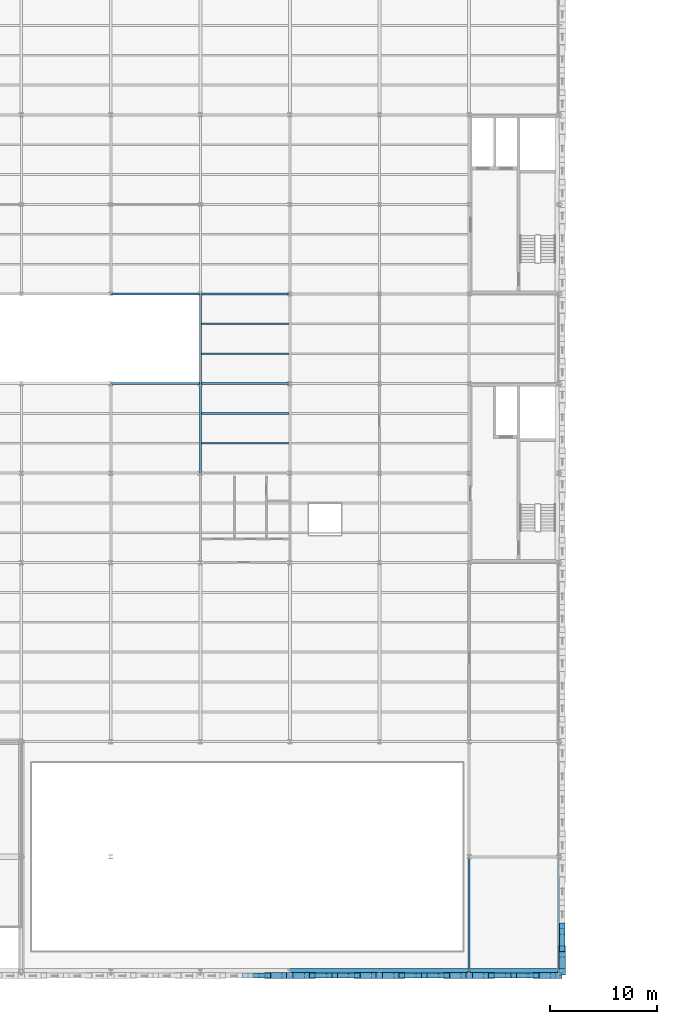
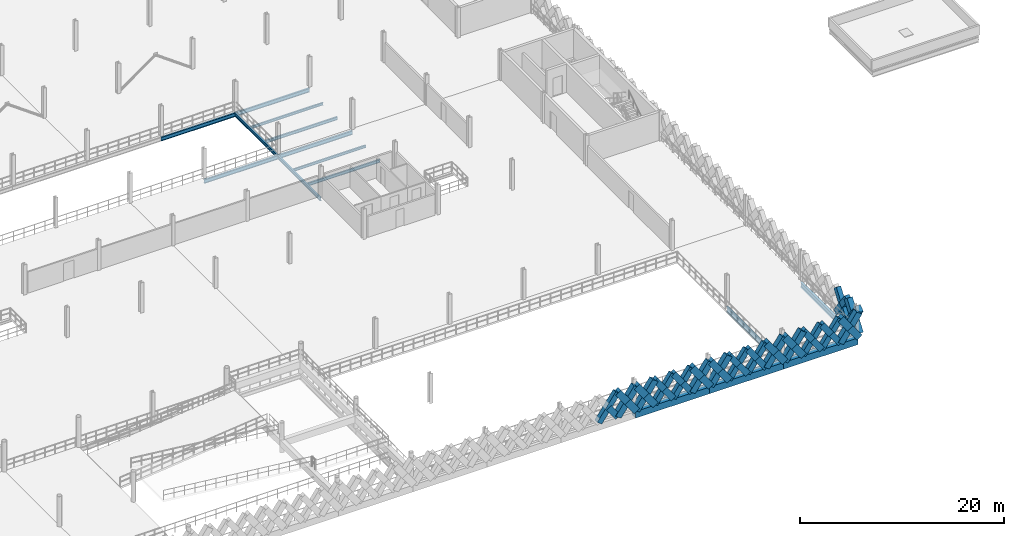
# One storey, part 19 of 62: 47 members, 15 beams.
"""IFC4 building model written with IfcOpenShell, lengths in metres."""

from ifc_helpers import new_model, si_unit, direction, frame, origin, origin_2d, place, context, subcontext, project, spatial, rectangle, i_section, extrude, material, material_profile, profile_set, type_object, element, save


model = new_model("IFC4")

# Units and contexts
model_context = context("Model", 3, precision=1e-05, world=origin(), true_north=direction((0.0, 1.0)))
body_context = subcontext(model_context, "Body", "Model", "MODEL_VIEW")
ifc_project = project(units=[si_unit("LENGTHUNIT", "METRE"), si_unit("AREAUNIT", "SQUARE_METRE"), si_unit("VOLUMEUNIT", "CUBIC_METRE"), si_unit("PLANEANGLEUNIT", "RADIAN"), si_unit("MASSUNIT", "GRAM", prefix="KILO"), si_unit("THERMODYNAMICTEMPERATUREUNIT", "KELVIN"), si_unit("POWERUNIT", "WATT")], contexts=[model_context])

# Site, building, storey
site_placement = place(None, origin())
site = spatial("IfcSite", under=ifc_project, at=site_placement, CompositionType="ELEMENT")
building_placement = place(site_placement, origin())
building = spatial("IfcBuilding", under=site, at=building_placement, Name="Tembeka Court Mobility Hub", CompositionType="ELEMENT")
storey_placement = place(building_placement, frame((0.0, 0.0, 16.199951171875)))
storey = spatial("IfcBuildingStorey", under=building, at=storey_placement, Name="L04", CompositionType="ELEMENT", Elevation=16.199951171875)

# Beams
ifc_material_1 = material(Name="Steel S355", Category="steel")
ifc_material_profile_1 = material_profile(ifc_material_1, i_section(OverallWidth=0.18994140625, OverallDepth=0.45703125, WebThickness=0.009033203125, FlangeThickness=0.014404296875, FilletRadius=0.01025390625, at=origin_2d()), Name="UKB 457x191x74")
ifc_profile_set_1 = profile_set([ifc_material_profile_1], Name="Steel S355")
beam_type_1 = type_object("IfcBeamType", Name="BM-B01", PredefinedType="BEAM", material=ifc_profile_set_1)
beam_1_placement = place(storey_placement, frame((50.39990234375, 55.199951171875, -0.448486328125), z_axis=(1.0, 0.0, 0.0), x_axis=(0.0, 1.0, 0.0)))
element("IfcBeam", 1, at=beam_1_placement, inside=storey, type_object=beam_type_1, Name="Beam B01 (BM-L04-X2251)", PredefinedType="BEAM", context=body_context, shape_type="SweptSolid", body=[
    extrude(i_section(OverallWidth=0.18994140625, OverallDepth=0.45703125, WebThickness=0.009033203125, FlangeThickness=0.014404296875, FilletRadius=0.01025390625, at=origin_2d()), origin(), (0.0, 0.0, 1.0), 8.400146484375),
])
beam_2_placement = place(storey_placement, frame((58.800048828125, 55.199951171875, -0.448486328125), z_axis=(1.0, 0.0, 0.0), x_axis=(0.0, 1.0, 0.0)))
element("IfcBeam", 2, at=beam_2_placement, inside=storey, type_object=beam_type_1, Name="Beam B01 (BM-L04-X2252)", PredefinedType="BEAM", context=body_context, shape_type="SweptSolid", body=[
    extrude(i_section(OverallWidth=0.18994140625, OverallDepth=0.45703125, WebThickness=0.009033203125, FlangeThickness=0.014404296875, FilletRadius=0.01025390625, at=origin_2d()), origin(), (0.0, 0.0, 1.0), 8.39990234375),
])
beam_3_placement = place(storey_placement, frame((50.39990234375, 63.60009765625, -0.448486328125), z_axis=(1.0, 0.0, 0.0), x_axis=(0.0, 1.0, 0.0)))
element("IfcBeam", 3, at=beam_3_placement, inside=storey, type_object=beam_type_1, Name="Beam B01 (BM-L04-X2263)", PredefinedType="BEAM", context=body_context, shape_type="SweptSolid", body=[
    extrude(i_section(OverallWidth=0.18994140625, OverallDepth=0.45703125, WebThickness=0.009033203125, FlangeThickness=0.014404296875, FilletRadius=0.01025390625, at=origin_2d()), origin(), (0.0, 0.0, 1.0), 8.400146484375),
])
beam_4_placement = place(storey_placement, frame((58.800048828125, 63.60009765625, -0.448486328125), z_axis=(1.0, 0.0, 0.0), x_axis=(0.0, 1.0, 0.0)))
element("IfcBeam", 4, at=beam_4_placement, inside=storey, type_object=beam_type_1, Name="Beam B01 (BM-L04-X2264)", PredefinedType="BEAM", context=body_context, shape_type="SweptSolid", body=[
    extrude(i_section(OverallWidth=0.18994140625, OverallDepth=0.45703125, WebThickness=0.009033203125, FlangeThickness=0.014404296875, FilletRadius=0.01025390625, at=origin_2d()), origin(), (0.0, 0.0, 1.0), 8.39990234375),
])
ifc_material_profile_2 = material_profile(ifc_material_1, i_section(OverallWidth=0.177978515625, OverallDepth=0.406005859375, WebThickness=0.0078125, FlangeThickness=0.0126953125, FilletRadius=0.01025390625, at=origin_2d()), Name="UKB 406x178x60")
ifc_profile_set_2 = profile_set([ifc_material_profile_2], Name="Steel S355")
beam_type_2 = type_object("IfcBeamType", Name="BM-B02", PredefinedType="BEAM", material=ifc_profile_set_2)
beam_5_placement = place(storey_placement, frame((58.800048828125, 46.800048828125, -0.4228515625), z_axis=(0.0, 1.0, 0.0), x_axis=(-1.0, 0.0, 0.0)))
element("IfcBeam", 5, at=beam_5_placement, inside=storey, type_object=beam_type_2, Name="Beam B02 (BM-L04-Y2377)", PredefinedType="BEAM", context=body_context, shape_type="SweptSolid", body=[
    extrude(i_section(OverallWidth=0.177978515625, OverallDepth=0.406005859375, WebThickness=0.0078125, FlangeThickness=0.0126953125, FilletRadius=0.01025390625, at=origin_2d()), origin(), (0.0, 0.0, 1.0), 8.39990234375),
])
beam_6_placement = place(storey_placement, frame((58.800048828125, 55.199951171875, -0.4228515625), z_axis=(0.0, 1.0, 0.0), x_axis=(-1.0, 0.0, 0.0)))
element("IfcBeam", 6, at=beam_6_placement, inside=storey, type_object=beam_type_2, Name="Beam B02 (BM-L04-Y2378)", PredefinedType="BEAM", context=body_context, shape_type="SweptSolid", body=[
    extrude(i_section(OverallWidth=0.177978515625, OverallDepth=0.406005859375, WebThickness=0.0078125, FlangeThickness=0.0126953125, FilletRadius=0.01025390625, at=origin_2d()), origin(), (0.0, 0.0, 1.0), 8.400146484375),
])
ifc_material_profile_3 = material_profile(ifc_material_1, i_section(OverallWidth=0.22900390625, OverallDepth=0.612060546875, WebThickness=0.011962890625, FlangeThickness=0.01953125, FilletRadius=0.0126953125, at=origin_2d()), Name="UKB 610x229x125")
ifc_profile_set_3 = profile_set([ifc_material_profile_3], Name="Steel S355")
beam_type_3 = type_object("IfcBeamType", Name="BM-G02", PredefinedType="USERDEFINED", material=ifc_profile_set_3)
for number, where, z_axis, x_axis, name in (
    (7, (84.0, 0.0, -0.52587890625), (0.0, 1.0, 0.0), (-1.0, 0.0, 0.0), "Beam G02 (BM-L04-Y2396)"),
    (8, (92.39990234375, 0.0, -0.52587890625), (0.0, 1.0, 0.0), (-1.0, 0.0, 0.0), "Beam G02 (BM-L04-Y2407)"),
):
    element("IfcBeam", number, at=place(storey_placement, frame(where, z_axis=z_axis, x_axis=x_axis)), inside=storey, type_object=beam_type_3, Name=name, ObjectType="GIRDER", PredefinedType="USERDEFINED", context=body_context, shape_type="SweptSolid", body=[
        extrude(i_section(OverallWidth=0.22900390625, OverallDepth=0.612060546875, WebThickness=0.011962890625, FlangeThickness=0.01953125, FilletRadius=0.0126953125, at=origin_2d()), origin(), (0.0, 0.0, 1.0), 10.800048828125),
    ])
ifc_material_profile_4 = material_profile(ifc_material_1, i_section(OverallWidth=0.1650390625, OverallDepth=0.303955078125, WebThickness=0.006103515625, FlangeThickness=0.01025390625, FilletRadius=0.0087890625, at=origin_2d()), Name="UKB 305x165x40")
ifc_profile_set_4 = profile_set([ifc_material_profile_4], Name="Steel S355")
beam_type_4 = type_object("IfcBeamType", Name="BM-J02", PredefinedType="JOIST", material=ifc_profile_set_4)
for number, where, z_axis, x_axis, name in (
    (9, (58.884033203125, 52.39990234375, -0.3720703125), (1.0, 0.0, 0.0), (0.0, 1.0, 0.0), "Beam J02 (JST-L04-2570)"),
    (10, (58.884033203125, 60.800048828125, -0.3720703125), (1.0, 0.0, 0.0), (0.0, 1.0, 0.0), "Beam J02 (JST-L04-2572)"),
):
    element("IfcBeam", number, at=place(storey_placement, frame(where, z_axis=z_axis, x_axis=x_axis)), inside=storey, type_object=beam_type_4, Name=name, PredefinedType="JOIST", context=body_context, shape_type="SweptSolid", body=[
        extrude(i_section(OverallWidth=0.1650390625, OverallDepth=0.303955078125, WebThickness=0.006103515625, FlangeThickness=0.01025390625, FilletRadius=0.0087890625, at=origin_2d()), origin(), (0.0, 0.0, 1.0), 8.23193359375),
    ])
ifc_material_profile_5 = material_profile(ifc_material_1, i_section(OverallWidth=0.169921875, OverallDepth=0.360107421875, WebThickness=0.008056640625, FlangeThickness=0.0126953125, FilletRadius=0.01806640625, at=origin_2d()), Name="IPE 360")
ifc_profile_set_5 = profile_set([ifc_material_profile_5], Name="Steel S355")
beam_type_5 = type_object("IfcBeamType", Name="BM-J03", PredefinedType="JOIST", material=ifc_profile_set_5)
for number, where, z_axis, x_axis, name in (
    (11, (58.884033203125, 49.60009765625, -0.39990234375), (1.0, 0.0, 0.0), (0.0, 1.0, 0.0), "Beam J03 (JST-L04-2569)"),
    (12, (58.884033203125, 58.0, -0.39990234375), (1.0, 0.0, 0.0), (0.0, 1.0, 0.0), "Beam J03 (JST-L04-2571)"),
):
    element("IfcBeam", number, at=place(storey_placement, frame(where, z_axis=z_axis, x_axis=x_axis)), inside=storey, type_object=beam_type_5, Name=name, PredefinedType="JOIST", context=body_context, shape_type="SweptSolid", body=[
        extrude(i_section(OverallWidth=0.169921875, OverallDepth=0.360107421875, WebThickness=0.008056640625, FlangeThickness=0.0126953125, FilletRadius=0.01806640625, at=origin_2d()), origin(), (0.0, 0.0, 1.0), 8.23193359375),
    ])
ifc_material_2 = material(Name="Precast concrete C45/55", Category="concrete")
ifc_material_profile_6 = material_profile(ifc_material_2, rectangle(XDim=0.64990234375, YDim=0.800048828125, at=origin_2d()), Name="PC-SP 650x800")
ifc_profile_set_6 = profile_set([ifc_material_profile_6], Name="Precast concrete C45/55")
beam_type_6 = type_object("IfcBeamType", Name="BM-SP01", PredefinedType="SPANDREL", material=ifc_profile_set_6)
beam_7_placement = place(storey_placement, frame((67.199951171875, 0.0, -0.619873046875), z_axis=(1.0, 0.0, 0.0), x_axis=(0.0, 1.0, 0.0)))
element("IfcBeam", 13, at=beam_7_placement, inside=storey, type_object=beam_type_6, Name="Beam SP01 (BM-L04-X2192)", PredefinedType="SPANDREL", context=body_context, shape_type="SweptSolid", body=[
    extrude(rectangle(XDim=0.64990234375, YDim=0.800048828125, at=origin_2d()), origin(), (0.0, 0.0, 1.0), 8.400146484375),
])
for number, where, z_axis, x_axis, name in (
    (14, (75.60009765625, 0.0, -0.619873046875), (1.0, 0.0, 0.0), (0.0, 1.0, 0.0), "Beam SP01 (BM-L04-X2193)"),
    (15, (84.0, 0.0, -0.619873046875), (1.0, 0.0, 0.0), (0.0, 1.0, 0.0), "Beam SP01 (BM-L04-X2194)"),
):
    element("IfcBeam", number, at=place(storey_placement, frame(where, z_axis=z_axis, x_axis=x_axis)), inside=storey, type_object=beam_type_6, Name=name, PredefinedType="SPANDREL", context=body_context, shape_type="SweptSolid", body=[
        extrude(rectangle(XDim=0.64990234375, YDim=0.800048828125, at=origin_2d()), origin(), (0.0, 0.0, 1.0), 8.39990234375),
    ])

# Members
ifc_material_profile_7 = material_profile(ifc_material_2, rectangle(XDim=0.5, YDim=0.64990234375, at=origin_2d()), Name="PC-DIAG 500x650")
ifc_profile_set_7 = profile_set([ifc_material_profile_7], Name="Precast concrete C45/55")
member_type_1 = type_object("IfcMemberType", Name="MEM-DL01", PredefinedType="BRACE", material=ifc_profile_set_7)
member_1_placement = place(storey_placement, frame((63.0, -0.340087890625, 0.02001953125), z_axis=(0.582576362011, 0.0, 0.812775973086), x_axis=(0.0, 1.0, 0.0)))
element("IfcMember", 16, at=member_1_placement, inside=storey, type_object=member_type_1, Name="Precast diamond lattice continuous strand DL01 (L04-619A)", PredefinedType="BRACE", context=body_context, shape_type="SweptSolid", body=[
    extrude(rectangle(XDim=0.5, YDim=0.64990234375, at=origin_2d()), origin(), (0.0, 0.0, 1.0), 3.604736328125),
])
member_2_placement = place(storey_placement, frame((65.10009765625, -0.340087890625, 0.02001953125), z_axis=(-0.582544294934, 0.0, 0.812798956963), x_axis=(0.0, -1.0, 0.0)))
element("IfcMember", 17, at=member_2_placement, inside=storey, type_object=member_type_1, Name="Precast diamond lattice split lower strand DL01 (L04-619B1)", PredefinedType="BRACE", context=body_context, shape_type="SweptSolid", body=[
    extrude(rectangle(XDim=0.5, YDim=0.64990234375, at=origin_2d()), origin(), (0.0, 0.0, 1.0), 1.802490234375),
])
member_3_placement = place(storey_placement, frame((69.300048828125, -0.340087890625, 0.02001953125), z_axis=(0.58253161945, 0.0, 0.812808041509), x_axis=(0.0, 1.0, 0.0)))
element("IfcMember", 18, at=member_3_placement, inside=storey, type_object=member_type_1, Name="Precast diamond lattice continuous strand DL01 (L04-622A)", PredefinedType="BRACE", context=body_context, shape_type="SweptSolid", body=[
    extrude(rectangle(XDim=0.5, YDim=0.64990234375, at=origin_2d()), origin(), (0.0, 0.0, 1.0), 3.604736328125),
])
member_4_placement = place(storey_placement, frame((71.39990234375, -0.340087890625, 0.02001953125), z_axis=(-0.582454804382, 0.0, 0.812863088627), x_axis=(0.0, -1.0, 0.0)))
element("IfcMember", 19, at=member_4_placement, inside=storey, type_object=member_type_1, Name="Precast diamond lattice split lower strand DL01 (L04-622B1)", PredefinedType="BRACE", context=body_context, shape_type="SweptSolid", body=[
    extrude(rectangle(XDim=0.5, YDim=0.64990234375, at=origin_2d()), origin(), (0.0, 0.0, 1.0), 1.802490234375),
])
member_5_placement = place(storey_placement, frame((70.35009765625, -0.340087890625, 1.485107421875), z_axis=(-0.582608431711, 0.0, 0.812752985414), x_axis=(0.0, -1.0, 0.0)))
element("IfcMember", 20, at=member_5_placement, inside=storey, type_object=member_type_1, Name="Precast diamond lattice split upper strand DL01 (L04-622B2)", PredefinedType="BRACE", context=body_context, shape_type="SweptSolid", body=[
    extrude(rectangle(XDim=0.5, YDim=0.64990234375, at=origin_2d()), origin(), (0.0, 0.0, 1.0), 1.80224609375),
])
member_6_placement = place(storey_placement, frame((71.39990234375, -0.340087890625, 0.02001953125), z_axis=(0.582576362011, 0.0, 0.812775973086), x_axis=(0.0, 1.0, 0.0)))
element("IfcMember", 21, at=member_6_placement, inside=storey, type_object=member_type_1, Name="Precast diamond lattice continuous strand DL01 (L04-623A)", PredefinedType="BRACE", context=body_context, shape_type="SweptSolid", body=[
    extrude(rectangle(XDim=0.5, YDim=0.64990234375, at=origin_2d()), origin(), (0.0, 0.0, 1.0), 3.604736328125),
])
member_7_placement = place(storey_placement, frame((73.5, -0.340087890625, 0.02001953125), z_axis=(-0.582544294934, 0.0, 0.812798956963), x_axis=(0.0, -1.0, 0.0)))
element("IfcMember", 22, at=member_7_placement, inside=storey, type_object=member_type_1, Name="Precast diamond lattice split lower strand DL01 (L04-623B1)", PredefinedType="BRACE", context=body_context, shape_type="SweptSolid", body=[
    extrude(rectangle(XDim=0.5, YDim=0.64990234375, at=origin_2d()), origin(), (0.0, 0.0, 1.0), 1.802490234375),
])
member_8_placement = place(storey_placement, frame((72.449951171875, -0.340087890625, 1.485107421875), z_axis=(-0.582608431711, 0.0, 0.812752985414), x_axis=(0.0, -1.0, 0.0)))
element("IfcMember", 23, at=member_8_placement, inside=storey, type_object=member_type_1, Name="Precast diamond lattice split upper strand DL01 (L04-623B2)", PredefinedType="BRACE", context=body_context, shape_type="SweptSolid", body=[
    extrude(rectangle(XDim=0.5, YDim=0.64990234375, at=origin_2d()), origin(), (0.0, 0.0, 1.0), 1.80224609375),
])
member_9_placement = place(storey_placement, frame((77.699951171875, -0.340087890625, 0.02001953125), z_axis=(0.582576362011, 0.0, 0.812775973086), x_axis=(0.0, 1.0, 0.0)))
element("IfcMember", 24, at=member_9_placement, inside=storey, type_object=member_type_1, Name="Precast diamond lattice continuous strand DL01 (L04-626A)", PredefinedType="BRACE", context=body_context, shape_type="SweptSolid", body=[
    extrude(rectangle(XDim=0.5, YDim=0.64990234375, at=origin_2d()), origin(), (0.0, 0.0, 1.0), 3.604736328125),
])
member_10_placement = place(storey_placement, frame((79.800048828125, -0.340087890625, 0.02001953125), z_axis=(-0.582544294934, 0.0, 0.812798956963), x_axis=(0.0, -1.0, 0.0)))
element("IfcMember", 25, at=member_10_placement, inside=storey, type_object=member_type_1, Name="Precast diamond lattice split lower strand DL01 (L04-626B1)", PredefinedType="BRACE", context=body_context, shape_type="SweptSolid", body=[
    extrude(rectangle(XDim=0.5, YDim=0.64990234375, at=origin_2d()), origin(), (0.0, 0.0, 1.0), 1.802490234375),
])
member_11_placement = place(storey_placement, frame((78.75, -0.340087890625, 1.485107421875), z_axis=(-0.582608431711, 0.0, 0.812752985414), x_axis=(0.0, -1.0, 0.0)))
element("IfcMember", 26, at=member_11_placement, inside=storey, type_object=member_type_1, Name="Precast diamond lattice split upper strand DL01 (L04-626B2)", PredefinedType="BRACE", context=body_context, shape_type="SweptSolid", body=[
    extrude(rectangle(XDim=0.5, YDim=0.64990234375, at=origin_2d()), origin(), (0.0, 0.0, 1.0), 1.80224609375),
])
member_12_placement = place(storey_placement, frame((79.800048828125, -0.340087890625, 0.02001953125), z_axis=(0.58253161945, 0.0, 0.812808041509), x_axis=(0.0, 1.0, 0.0)))
element("IfcMember", 27, at=member_12_placement, inside=storey, type_object=member_type_1, Name="Precast diamond lattice continuous strand DL01 (L04-627A)", PredefinedType="BRACE", context=body_context, shape_type="SweptSolid", body=[
    extrude(rectangle(XDim=0.5, YDim=0.64990234375, at=origin_2d()), origin(), (0.0, 0.0, 1.0), 3.604736328125),
])
member_13_placement = place(storey_placement, frame((81.89990234375, -0.340087890625, 0.02001953125), z_axis=(-0.582454804382, 0.0, 0.812863088627), x_axis=(0.0, -1.0, 0.0)))
element("IfcMember", 28, at=member_13_placement, inside=storey, type_object=member_type_1, Name="Precast diamond lattice split lower strand DL01 (L04-627B1)", PredefinedType="BRACE", context=body_context, shape_type="SweptSolid", body=[
    extrude(rectangle(XDim=0.5, YDim=0.64990234375, at=origin_2d()), origin(), (0.0, 0.0, 1.0), 1.802490234375),
])
member_14_placement = place(storey_placement, frame((80.85009765625, -0.340087890625, 1.485107421875), z_axis=(-0.582608431711, 0.0, 0.812752985414), x_axis=(0.0, -1.0, 0.0)))
element("IfcMember", 29, at=member_14_placement, inside=storey, type_object=member_type_1, Name="Precast diamond lattice split upper strand DL01 (L04-627B2)", PredefinedType="BRACE", context=body_context, shape_type="SweptSolid", body=[
    extrude(rectangle(XDim=0.5, YDim=0.64990234375, at=origin_2d()), origin(), (0.0, 0.0, 1.0), 1.80224609375),
])
member_15_placement = place(storey_placement, frame((86.10009765625, -0.340087890625, 0.02001953125), z_axis=(0.58253161945, 0.0, 0.812808041509), x_axis=(0.0, 1.0, 0.0)))
element("IfcMember", 30, at=member_15_placement, inside=storey, type_object=member_type_1, Name="Precast diamond lattice continuous strand DL01 (L04-630A)", PredefinedType="BRACE", context=body_context, shape_type="SweptSolid", body=[
    extrude(rectangle(XDim=0.5, YDim=0.64990234375, at=origin_2d()), origin(), (0.0, 0.0, 1.0), 3.604736328125),
])
member_16_placement = place(storey_placement, frame((88.199951171875, -0.340087890625, 0.02001953125), z_axis=(-0.582544294934, 0.0, 0.812798956963), x_axis=(0.0, -1.0, 0.0)))
element("IfcMember", 31, at=member_16_placement, inside=storey, type_object=member_type_1, Name="Precast diamond lattice split lower strand DL01 (L04-630B1)", PredefinedType="BRACE", context=body_context, shape_type="SweptSolid", body=[
    extrude(rectangle(XDim=0.5, YDim=0.64990234375, at=origin_2d()), origin(), (0.0, 0.0, 1.0), 1.802490234375),
])
member_17_placement = place(storey_placement, frame((87.14990234375, -0.340087890625, 1.485107421875), z_axis=(-0.582518941428, 0.0, 0.812817127574), x_axis=(0.0, -1.0, 0.0)))
element("IfcMember", 32, at=member_17_placement, inside=storey, type_object=member_type_1, Name="Precast diamond lattice split upper strand DL01 (L04-630B2)", PredefinedType="BRACE", context=body_context, shape_type="SweptSolid", body=[
    extrude(rectangle(XDim=0.5, YDim=0.64990234375, at=origin_2d()), origin(), (0.0, 0.0, 1.0), 1.80224609375),
])
member_18_placement = place(storey_placement, frame((88.199951171875, -0.340087890625, 0.02001953125), z_axis=(0.582576362011, 0.0, 0.812775973086), x_axis=(0.0, 1.0, 0.0)))
element("IfcMember", 33, at=member_18_placement, inside=storey, type_object=member_type_1, Name="Precast diamond lattice continuous strand DL01 (L04-631A)", PredefinedType="BRACE", context=body_context, shape_type="SweptSolid", body=[
    extrude(rectangle(XDim=0.5, YDim=0.64990234375, at=origin_2d()), origin(), (0.0, 0.0, 1.0), 3.604736328125),
])
member_19_placement = place(storey_placement, frame((90.300048828125, -0.340087890625, 0.02001953125), z_axis=(-0.582544294934, 0.0, 0.812798956963), x_axis=(0.0, -1.0, 0.0)))
element("IfcMember", 34, at=member_19_placement, inside=storey, type_object=member_type_1, Name="Precast diamond lattice split lower strand DL01 (L04-631B1)", PredefinedType="BRACE", context=body_context, shape_type="SweptSolid", body=[
    extrude(rectangle(XDim=0.5, YDim=0.64990234375, at=origin_2d()), origin(), (0.0, 0.0, 1.0), 1.802490234375),
])
member_20_placement = place(storey_placement, frame((89.25, -0.340087890625, 1.485107421875), z_axis=(-0.582608431711, 0.0, 0.812752985414), x_axis=(0.0, -1.0, 0.0)))
element("IfcMember", 35, at=member_20_placement, inside=storey, type_object=member_type_1, Name="Precast diamond lattice split upper strand DL01 (L04-631B2)", PredefinedType="BRACE", context=body_context, shape_type="SweptSolid", body=[
    extrude(rectangle(XDim=0.5, YDim=0.64990234375, at=origin_2d()), origin(), (0.0, 0.0, 1.0), 1.80224609375),
])
member_21_placement = place(storey_placement, frame((92.739990234375, 2.159912109375, 0.02001953125), z_axis=(0.0, 0.593423219328, 0.804890602978), x_axis=(-1.0, 0.0, 0.0)))
element("IfcMember", 36, at=member_21_placement, inside=storey, type_object=member_type_1, Name="Precast diamond lattice continuous strand DL01 (L04-734C)", PredefinedType="BRACE", context=body_context, shape_type="SweptSolid", body=[
    extrude(rectangle(XDim=0.5, YDim=0.64990234375, at=origin_2d()), origin(), (0.0, 0.0, 1.0), 3.64013671875),
])
for number, where, z_axis, x_axis, name in (
    (37, (92.739990234375, 4.320068359375, 0.02001953125), (0.0, -0.593391185876, 0.804914219358), (1.0, 0.0, 0.0), "Precast diamond lattice split lower strand DL01 (L04-734D1)"),
    (38, (92.739990234375, 3.239990234375, 1.485107421875), (0.0, -0.593455255298, 0.804866982773), (1.0, 0.0, 0.0), "Precast diamond lattice split upper strand DL01 (L04-734D2)"),
):
    element("IfcMember", number, at=place(storey_placement, frame(where, z_axis=z_axis, x_axis=x_axis)), inside=storey, type_object=member_type_1, Name=name, PredefinedType="BRACE", context=body_context, shape_type="SweptSolid", body=[
        extrude(rectangle(XDim=0.5, YDim=0.64990234375, at=origin_2d()), origin(), (0.0, 0.0, 1.0), 1.820068359375),
    ])
ifc_material_profile_8 = material_profile(ifc_material_2, rectangle(XDim=0.60009765625, YDim=0.75, at=origin_2d()), Name="PC-DIAG 600x750")
ifc_profile_set_8 = profile_set([ifc_material_profile_8], Name="Precast concrete C45/55")
member_type_2 = type_object("IfcMemberType", Name="MEM-DL02", PredefinedType="BRACE", material=ifc_profile_set_8)
member_22_placement = place(storey_placement, frame((65.10009765625, -0.340087890625, 0.02001953125), z_axis=(0.58253161945, 0.0, 0.812808041509), x_axis=(0.0, 1.0, 0.0)))
element("IfcMember", 39, at=member_22_placement, inside=storey, type_object=member_type_2, Name="Precast diamond lattice continuous strand DL02 (L04-620A)", PredefinedType="BRACE", context=body_context, shape_type="SweptSolid", body=[
    extrude(rectangle(XDim=0.60009765625, YDim=0.75, at=origin_2d()), origin(), (0.0, 0.0, 1.0), 3.604736328125),
])
member_23_placement = place(storey_placement, frame((67.199951171875, -0.340087890625, 0.02001953125), z_axis=(-0.582544294934, 0.0, 0.812798956963), x_axis=(0.0, -1.0, 0.0)))
element("IfcMember", 40, at=member_23_placement, inside=storey, type_object=member_type_2, Name="Precast diamond lattice split lower strand DL02 (L04-620B1)", PredefinedType="BRACE", context=body_context, shape_type="SweptSolid", body=[
    extrude(rectangle(XDim=0.60009765625, YDim=0.75, at=origin_2d()), origin(), (0.0, 0.0, 1.0), 1.802490234375),
])
member_24_placement = place(storey_placement, frame((66.14990234375, -0.340087890625, 1.485107421875), z_axis=(-0.582518941428, 0.0, 0.812817127574), x_axis=(0.0, -1.0, 0.0)))
element("IfcMember", 41, at=member_24_placement, inside=storey, type_object=member_type_2, Name="Precast diamond lattice split upper strand DL02 (L04-620B2)", PredefinedType="BRACE", context=body_context, shape_type="SweptSolid", body=[
    extrude(rectangle(XDim=0.60009765625, YDim=0.75, at=origin_2d()), origin(), (0.0, 0.0, 1.0), 1.80224609375),
])
member_25_placement = place(storey_placement, frame((67.199951171875, -0.340087890625, 0.02001953125), z_axis=(0.582576362011, 0.0, 0.812775973086), x_axis=(0.0, 1.0, 0.0)))
element("IfcMember", 42, at=member_25_placement, inside=storey, type_object=member_type_2, Name="Precast diamond lattice continuous strand DL02 (L04-621A)", PredefinedType="BRACE", context=body_context, shape_type="SweptSolid", body=[
    extrude(rectangle(XDim=0.60009765625, YDim=0.75, at=origin_2d()), origin(), (0.0, 0.0, 1.0), 3.604736328125),
])
member_26_placement = place(storey_placement, frame((69.300048828125, -0.340087890625, 0.02001953125), z_axis=(-0.582544294934, 0.0, 0.812798956963), x_axis=(0.0, -1.0, 0.0)))
element("IfcMember", 43, at=member_26_placement, inside=storey, type_object=member_type_2, Name="Precast diamond lattice split lower strand DL02 (L04-621B1)", PredefinedType="BRACE", context=body_context, shape_type="SweptSolid", body=[
    extrude(rectangle(XDim=0.60009765625, YDim=0.75, at=origin_2d()), origin(), (0.0, 0.0, 1.0), 1.802490234375),
])
member_27_placement = place(storey_placement, frame((68.25, -0.340087890625, 1.485107421875), z_axis=(-0.582608431711, 0.0, 0.812752985414), x_axis=(0.0, -1.0, 0.0)))
element("IfcMember", 44, at=member_27_placement, inside=storey, type_object=member_type_2, Name="Precast diamond lattice split upper strand DL02 (L04-621B2)", PredefinedType="BRACE", context=body_context, shape_type="SweptSolid", body=[
    extrude(rectangle(XDim=0.60009765625, YDim=0.75, at=origin_2d()), origin(), (0.0, 0.0, 1.0), 1.80224609375),
])
member_28_placement = place(storey_placement, frame((73.5, -0.340087890625, 0.02001953125), z_axis=(0.582576362011, 0.0, 0.812775973086), x_axis=(0.0, 1.0, 0.0)))
element("IfcMember", 45, at=member_28_placement, inside=storey, type_object=member_type_2, Name="Precast diamond lattice continuous strand DL02 (L04-624A)", PredefinedType="BRACE", context=body_context, shape_type="SweptSolid", body=[
    extrude(rectangle(XDim=0.60009765625, YDim=0.75, at=origin_2d()), origin(), (0.0, 0.0, 1.0), 3.604736328125),
])
member_29_placement = place(storey_placement, frame((75.60009765625, -0.340087890625, 0.02001953125), z_axis=(-0.582544294934, 0.0, 0.812798956963), x_axis=(0.0, -1.0, 0.0)))
element("IfcMember", 46, at=member_29_placement, inside=storey, type_object=member_type_2, Name="Precast diamond lattice split lower strand DL02 (L04-624B1)", PredefinedType="BRACE", context=body_context, shape_type="SweptSolid", body=[
    extrude(rectangle(XDim=0.60009765625, YDim=0.75, at=origin_2d()), origin(), (0.0, 0.0, 1.0), 1.802490234375),
])
member_30_placement = place(storey_placement, frame((74.550048828125, -0.340087890625, 1.485107421875), z_axis=(-0.582608431711, 0.0, 0.812752985414), x_axis=(0.0, -1.0, 0.0)))
element("IfcMember", 47, at=member_30_placement, inside=storey, type_object=member_type_2, Name="Precast diamond lattice split upper strand DL02 (L04-624B2)", PredefinedType="BRACE", context=body_context, shape_type="SweptSolid", body=[
    extrude(rectangle(XDim=0.60009765625, YDim=0.75, at=origin_2d()), origin(), (0.0, 0.0, 1.0), 1.80224609375),
])
member_31_placement = place(storey_placement, frame((75.60009765625, -0.340087890625, 0.02001953125), z_axis=(0.58253161945, 0.0, 0.812808041509), x_axis=(0.0, 1.0, 0.0)))
element("IfcMember", 48, at=member_31_placement, inside=storey, type_object=member_type_2, Name="Precast diamond lattice continuous strand DL02 (L04-625A)", PredefinedType="BRACE", context=body_context, shape_type="SweptSolid", body=[
    extrude(rectangle(XDim=0.60009765625, YDim=0.75, at=origin_2d()), origin(), (0.0, 0.0, 1.0), 3.604736328125),
])
member_32_placement = place(storey_placement, frame((77.699951171875, -0.340087890625, 0.02001953125), z_axis=(-0.582544294934, 0.0, 0.812798956963), x_axis=(0.0, -1.0, 0.0)))
element("IfcMember", 49, at=member_32_placement, inside=storey, type_object=member_type_2, Name="Precast diamond lattice split lower strand DL02 (L04-625B1)", PredefinedType="BRACE", context=body_context, shape_type="SweptSolid", body=[
    extrude(rectangle(XDim=0.60009765625, YDim=0.75, at=origin_2d()), origin(), (0.0, 0.0, 1.0), 1.802490234375),
])
member_33_placement = place(storey_placement, frame((76.64990234375, -0.340087890625, 1.485107421875), z_axis=(-0.582518941428, 0.0, 0.812817127574), x_axis=(0.0, -1.0, 0.0)))
element("IfcMember", 50, at=member_33_placement, inside=storey, type_object=member_type_2, Name="Precast diamond lattice split upper strand DL02 (L04-625B2)", PredefinedType="BRACE", context=body_context, shape_type="SweptSolid", body=[
    extrude(rectangle(XDim=0.60009765625, YDim=0.75, at=origin_2d()), origin(), (0.0, 0.0, 1.0), 1.80224609375),
])
member_34_placement = place(storey_placement, frame((81.89990234375, -0.340087890625, 0.02001953125), z_axis=(0.582576362011, 0.0, 0.812775973086), x_axis=(0.0, 1.0, 0.0)))
element("IfcMember", 51, at=member_34_placement, inside=storey, type_object=member_type_2, Name="Precast diamond lattice continuous strand DL02 (L04-628A)", PredefinedType="BRACE", context=body_context, shape_type="SweptSolid", body=[
    extrude(rectangle(XDim=0.60009765625, YDim=0.75, at=origin_2d()), origin(), (0.0, 0.0, 1.0), 3.604736328125),
])
member_35_placement = place(storey_placement, frame((84.0, -0.340087890625, 0.02001953125), z_axis=(-0.582544294934, 0.0, 0.812798956963), x_axis=(0.0, -1.0, 0.0)))
element("IfcMember", 52, at=member_35_placement, inside=storey, type_object=member_type_2, Name="Precast diamond lattice split lower strand DL02 (L04-628B1)", PredefinedType="BRACE", context=body_context, shape_type="SweptSolid", body=[
    extrude(rectangle(XDim=0.60009765625, YDim=0.75, at=origin_2d()), origin(), (0.0, 0.0, 1.0), 1.802490234375),
])
member_36_placement = place(storey_placement, frame((82.949951171875, -0.340087890625, 1.485107421875), z_axis=(-0.582608431711, 0.0, 0.812752985414), x_axis=(0.0, -1.0, 0.0)))
element("IfcMember", 53, at=member_36_placement, inside=storey, type_object=member_type_2, Name="Precast diamond lattice split upper strand DL02 (L04-628B2)", PredefinedType="BRACE", context=body_context, shape_type="SweptSolid", body=[
    extrude(rectangle(XDim=0.60009765625, YDim=0.75, at=origin_2d()), origin(), (0.0, 0.0, 1.0), 1.80224609375),
])
member_37_placement = place(storey_placement, frame((84.0, -0.340087890625, 0.02001953125), z_axis=(0.582576362011, 0.0, 0.812775973086), x_axis=(0.0, 1.0, 0.0)))
element("IfcMember", 54, at=member_37_placement, inside=storey, type_object=member_type_2, Name="Precast diamond lattice continuous strand DL02 (L04-629A)", PredefinedType="BRACE", context=body_context, shape_type="SweptSolid", body=[
    extrude(rectangle(XDim=0.60009765625, YDim=0.75, at=origin_2d()), origin(), (0.0, 0.0, 1.0), 3.604736328125),
])
member_38_placement = place(storey_placement, frame((86.10009765625, -0.340087890625, 0.02001953125), z_axis=(-0.582544294934, 0.0, 0.812798956963), x_axis=(0.0, -1.0, 0.0)))
element("IfcMember", 55, at=member_38_placement, inside=storey, type_object=member_type_2, Name="Precast diamond lattice split lower strand DL02 (L04-629B1)", PredefinedType="BRACE", context=body_context, shape_type="SweptSolid", body=[
    extrude(rectangle(XDim=0.60009765625, YDim=0.75, at=origin_2d()), origin(), (0.0, 0.0, 1.0), 1.802490234375),
])
member_39_placement = place(storey_placement, frame((85.050048828125, -0.340087890625, 1.485107421875), z_axis=(-0.582608431711, 0.0, 0.812752985414), x_axis=(0.0, -1.0, 0.0)))
element("IfcMember", 56, at=member_39_placement, inside=storey, type_object=member_type_2, Name="Precast diamond lattice split upper strand DL02 (L04-629B2)", PredefinedType="BRACE", context=body_context, shape_type="SweptSolid", body=[
    extrude(rectangle(XDim=0.60009765625, YDim=0.75, at=origin_2d()), origin(), (0.0, 0.0, 1.0), 1.80224609375),
])
member_40_placement = place(storey_placement, frame((90.300048828125, -0.340087890625, 0.02001953125), z_axis=(0.58253161945, 0.0, 0.812808041509), x_axis=(0.0, 1.0, 0.0)))
element("IfcMember", 57, at=member_40_placement, inside=storey, type_object=member_type_2, Name="Precast diamond lattice continuous strand DL02 (L04-632A)", PredefinedType="BRACE", context=body_context, shape_type="SweptSolid", body=[
    extrude(rectangle(XDim=0.60009765625, YDim=0.75, at=origin_2d()), origin(), (0.0, 0.0, 1.0), 3.604736328125),
])
member_41_placement = place(storey_placement, frame((92.39990234375, -0.340087890625, 0.02001953125), z_axis=(-0.582454804382, 0.0, 0.812863088627), x_axis=(0.0, -1.0, 0.0)))
element("IfcMember", 58, at=member_41_placement, inside=storey, type_object=member_type_2, Name="Precast diamond lattice split lower strand DL02 (L04-632B1)", PredefinedType="BRACE", context=body_context, shape_type="SweptSolid", body=[
    extrude(rectangle(XDim=0.60009765625, YDim=0.75, at=origin_2d()), origin(), (0.0, 0.0, 1.0), 1.802490234375),
])
member_42_placement = place(storey_placement, frame((91.35009765625, -0.340087890625, 1.485107421875), z_axis=(-0.582608431711, 0.0, 0.812752985414), x_axis=(0.0, -1.0, 0.0)))
element("IfcMember", 59, at=member_42_placement, inside=storey, type_object=member_type_2, Name="Precast diamond lattice split upper strand DL02 (L04-632B2)", PredefinedType="BRACE", context=body_context, shape_type="SweptSolid", body=[
    extrude(rectangle(XDim=0.60009765625, YDim=0.75, at=origin_2d()), origin(), (0.0, 0.0, 1.0), 1.80224609375),
])
member_43_placement = place(storey_placement, frame((92.739990234375, 0.0, 0.02001953125), z_axis=(0.0, 0.593379766398, 0.804922637792), x_axis=(-1.0, 0.0, 0.0)))
element("IfcMember", 60, at=member_43_placement, inside=storey, type_object=member_type_2, Name="Precast diamond lattice continuous strand DL02 (L04-733C)", PredefinedType="BRACE", context=body_context, shape_type="SweptSolid", body=[
    extrude(rectangle(XDim=0.60009765625, YDim=0.75, at=origin_2d()), origin(), (0.0, 0.0, 1.0), 3.64013671875),
])
for number, where, z_axis, x_axis, name in (
    (61, (92.739990234375, 2.159912109375, 0.02001953125), (0.0, -0.593304274421, 0.804978284151), (1.0, 0.0, 0.0), "Precast diamond lattice split lower strand DL02 (L04-733D1)"),
    (62, (92.739990234375, 1.080078125, 1.485107421875), (0.0, -0.593455255298, 0.804866982773), (1.0, 0.0, 0.0), "Precast diamond lattice split upper strand DL02 (L04-733D2)"),
):
    element("IfcMember", number, at=place(storey_placement, frame(where, z_axis=z_axis, x_axis=x_axis)), inside=storey, type_object=member_type_2, Name=name, PredefinedType="BRACE", context=body_context, shape_type="SweptSolid", body=[
        extrude(rectangle(XDim=0.60009765625, YDim=0.75, at=origin_2d()), origin(), (0.0, 0.0, 1.0), 1.820068359375),
    ])

save(model, "model.ifc")
